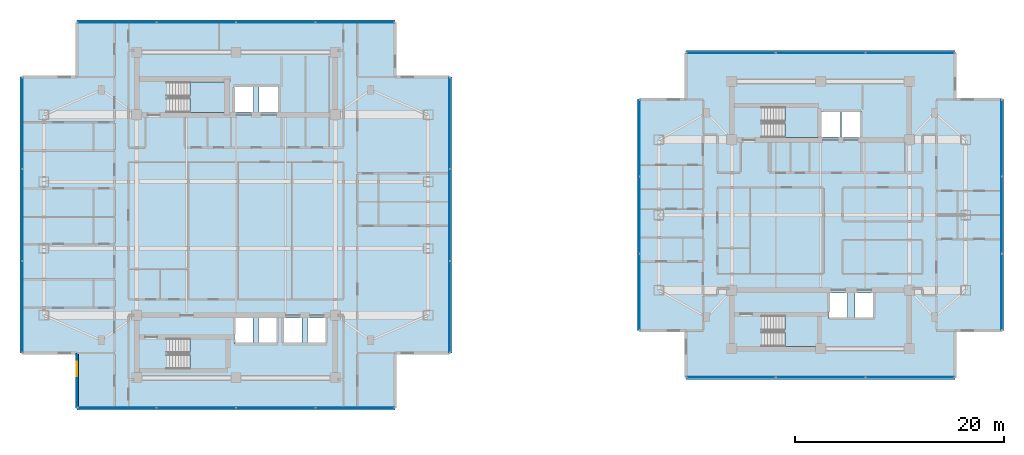
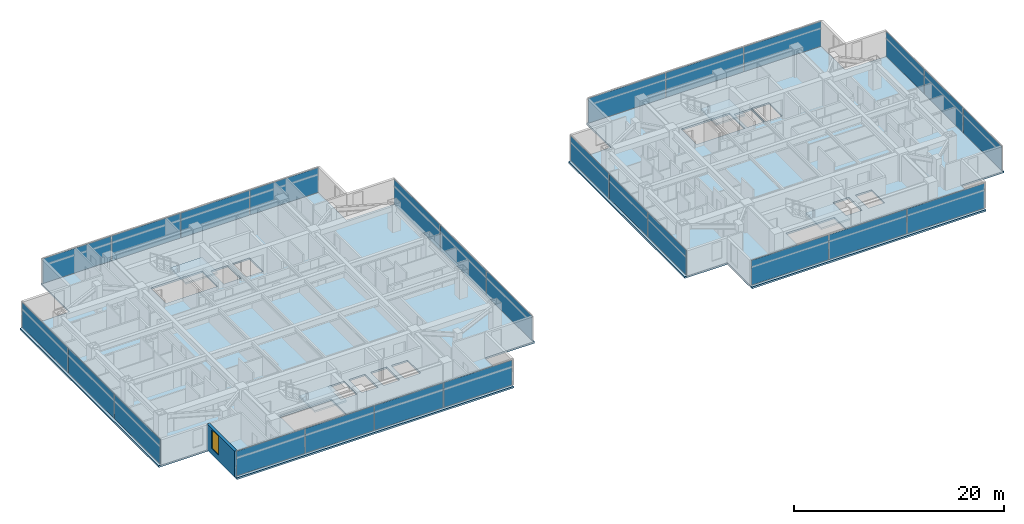
# One storey, part 11 of 24: 26 plates, 6 slabs, 1 wall, 1 window, 1 opening, 12 elements without a shape of their own.
"""IFC4 building model written with IfcOpenShell, lengths in metres."""

import ifcopenshell
import ifcopenshell.guid

model = None  # the IFC model being written
_history = None  # IfcOwnerHistory: only IFC2X3 demands one
_inside = {}  # id of a spatial element -> (the spatial element, [elements in it])
_under = {}  # id of a project, library or spatial element -> (it, [spatial elements below it])
_declared = {}  # id of a project -> (the project, [libraries it declares])
_typed = {}  # id of a type object -> (the type object, [elements of that type])
_made_of = {}  # id of a material, layer set ... -> (it, [elements and type objects made of it])


def new_model(schema):
    """Start an empty IFC model of exactly this schema.

    Asked for "IFC4X3", IfcOpenShell would pick the latest addendum, in which some entities
    have other attributes; the version numbers below select the first issue.
    IFC2X3 requires an IfcOwnerHistory on every rooted entity: one is made here for all.
    """
    global model, _history
    if schema == "IFC4X3":
        model = ifcopenshell.file(schema_version=(4, 3, 0, 0))
    else:
        model = ifcopenshell.file(schema=schema)
    _inside.clear()
    _under.clear()
    _declared.clear()
    _typed.clear()
    _made_of.clear()
    _history = None
    if model.schema == "IFC2X3":
        org = make("IfcOrganization", Name="unknown")
        user = make(
            "IfcPersonAndOrganization",
            ThePerson=make("IfcPerson", FamilyName="unknown"),
            TheOrganization=org,
        )
        app = make(
            "IfcApplication",
            ApplicationDeveloper=org,
            Version="unknown",
            ApplicationFullName="unknown",
            ApplicationIdentifier="unknown",
        )
        _history = make(
            "IfcOwnerHistory",
            OwningUser=user,
            OwningApplication=app,
            ChangeAction="ADDED",
            CreationDate=0,
        )
    return model


def make(cls, **values):
    """One entity of the class cls with the attributes given. An attribute that is None is left unset."""
    return model.create_entity(
        cls, **{name: value for name, value in values.items() if value is not None}
    )


def rooted(cls, **values):
    """An entity with a GlobalId (a new one), such as an element, a storey or a relation."""
    return make(cls, GlobalId=ifcopenshell.guid.new(), OwnerHistory=_history, **values)


def si_unit(unit_type, name, prefix=None):
    """IfcSIUnit, for example si_unit("LENGTHUNIT", "METRE", prefix="MILLI")."""
    return make("IfcSIUnit", UnitType=unit_type, Prefix=prefix, Name=name)


def assignment(units):
    """IfcUnitAssignment: the units of a project."""
    return None if units is None else make("IfcUnitAssignment", Units=units)


def point(xyz):
    """IfcCartesianPoint."""
    return None if xyz is None else make("IfcCartesianPoint", Coordinates=xyz)


def direction(xyz):
    """IfcDirection."""
    return None if xyz is None else make("IfcDirection", DirectionRatios=xyz)


def frame(location, z_axis=None, x_axis=None):
    """IfcAxis2Placement3D, a coordinate frame: its origin and axes. An axis left out is left unset."""
    return make(
        "IfcAxis2Placement3D",
        Location=point(location),
        Axis=direction(z_axis),
        RefDirection=direction(x_axis),
    )


def frame_2d(location, x_axis=None):
    """IfcAxis2Placement2D, a coordinate frame in the plane: its origin and x axis."""
    return make(
        "IfcAxis2Placement2D", Location=point(location), RefDirection=direction(x_axis)
    )


def origin():
    """The frame at (0, 0, 0) with its axes left unset."""
    return frame((0.0, 0.0, 0.0))


def origin_2d():
    """The frame at (0, 0) in the plane with its x axis left unset."""
    return frame_2d((0.0, 0.0))


def place(relative_to, where):
    """IfcLocalPlacement: puts the frame where relative to a parent placement (None: the world)."""
    return make(
        "IfcLocalPlacement", PlacementRelTo=relative_to, RelativePlacement=where
    )


def context(
    kind, dimensions, precision=None, world=None, true_north=None, identifier=None
):
    """IfcGeometricRepresentationContext, for example the 3D "Model" context."""
    return make(
        "IfcGeometricRepresentationContext",
        ContextIdentifier=identifier,
        ContextType=kind,
        CoordinateSpaceDimension=dimensions,
        Precision=precision,
        WorldCoordinateSystem=world,
        TrueNorth=true_north,
    )


def subcontext(parent, identifier, kind, view, scale=None):
    """IfcGeometricRepresentationSubContext, for example "Body" below "Model"."""
    return make(
        "IfcGeometricRepresentationSubContext",
        ContextIdentifier=identifier,
        ContextType=kind,
        ParentContext=parent,
        TargetScale=scale,
        TargetView=view,
    )


def project(units=None, contexts=None):
    """IfcProject with its units and contexts."""
    return rooted(
        "IfcProject",
        Name="project",
        RepresentationContexts=contexts,
        UnitsInContext=assignment(units),
    )


def spatial(cls, under=None, at=None, **own):
    """A site, building, storey or space (cls), placed at a placement, below another one or the project."""
    s = rooted(cls, ObjectPlacement=at, **own)
    if under is not None:
        _under.setdefault(under.id(), (under, []))[1].append(s)
    return s


def polyline(points):
    """IfcPolyline through the points."""
    return make("IfcPolyline", Points=[point(p) for p in points])


def profile(cls, at=None, kind="AREA", **sizes):
    """A parametric profile (cls). Its sizes go by their IFC names, for example OverallWidth=200.0."""
    return make(cls, ProfileType=kind, Position=at, **sizes)


def rectangle(**sizes):
    """IfcRectangleProfileDef."""
    return profile("IfcRectangleProfileDef", **sizes)


def outline(outer, holes=None, kind="AREA"):
    """IfcArbitraryClosedProfileDef: a profile drawn as a closed curve; with holes, ...WithVoids."""
    if holes is None:
        return make("IfcArbitraryClosedProfileDef", ProfileType=kind, OuterCurve=outer)
    return make(
        "IfcArbitraryProfileDefWithVoids",
        ProfileType=kind,
        OuterCurve=outer,
        InnerCurves=holes,
    )


def extrude(swept, where, along, depth):
    """IfcExtrudedAreaSolid: the profile swept, set in the frame where, extruded along a direction by depth."""
    return make(
        "IfcExtrudedAreaSolid",
        SweptArea=swept,
        Position=where,
        ExtrudedDirection=direction(along),
        Depth=depth,
    )


def shape(context_of_items, identifier, shape_type, items):
    """IfcShapeRepresentation: the items that make up one representation, for example the "Body"."""
    return make(
        "IfcShapeRepresentation",
        ContextOfItems=context_of_items,
        RepresentationIdentifier=identifier,
        RepresentationType=shape_type,
        Items=items,
    )


def material(Name=None, Category=None):
    """IfcMaterial."""
    return make("IfcMaterial", Name=Name, Category=Category)


def layer(
    of_material, thickness, ventilated=None, Name=None, Category=None, Priority=None
):
    """IfcMaterialLayer: one layer of a wall or slab, of a material (None: an air gap)."""
    return make(
        "IfcMaterialLayer",
        Material=of_material,
        LayerThickness=thickness,
        IsVentilated=ventilated,
        Name=Name,
        Category=Category,
        Priority=Priority,
    )


def layer_set(layers, Name=None):
    """IfcMaterialLayerSet."""
    return make("IfcMaterialLayerSet", MaterialLayers=layers, LayerSetName=Name)


def made_of(thing, what):
    """Note that an element or type object is made of a material, layer set ...; save() writes the relation."""
    if what is not None:
        _made_of.setdefault(what.id(), (what, []))[1].append(thing)
    return thing


def type_object(cls, material=None, **own):
    """A type object (cls), such as IfcWallType, which elements share."""
    return made_of(rooted(cls, **own), material)


def element(
    cls,
    number,
    at=None,
    inside=None,
    cuts=None,
    type_object=None,
    material=None,
    context=None,
    identifier="Body",
    shape_type=None,
    held_by="IfcProductDefinitionShape",
    body=None,
    shapes=None,
    **own,
):
    """One element of the class cls, such as IfcWall. Its Tag is "e" and its number.

    at: its placement. inside: the storey or other place that contains it. cuts: it is an
    opening in that element (IfcRelVoidsElement). A single representation is given by context,
    identifier, shape_type and body (its items); several are given by shapes. held_by: the class
    of the entity that holds the representations. save() writes the other relations.
    """
    e = rooted(cls, Tag="e%d" % number, ObjectPlacement=at, **own)
    if body is not None:
        shapes = [shape(context, identifier, shape_type, body)]
    if shapes is not None:
        e.Representation = make(held_by, Representations=shapes)
    if inside is not None:
        _inside.setdefault(inside.id(), (inside, []))[1].append(e)
    if cuts is not None:
        rooted(
            "IfcRelVoidsElement", RelatingBuildingElement=cuts, RelatedOpeningElement=e
        )
    if type_object is not None:
        _typed.setdefault(type_object.id(), (type_object, []))[1].append(e)
    return made_of(e, material)


def fill(opening, filler):
    """IfcRelFillsElement: the door or window that sits in an opening."""
    return rooted(
        "IfcRelFillsElement",
        RelatingOpeningElement=opening,
        RelatedBuildingElement=filler,
    )


def aggregate(whole, parts):
    """IfcRelAggregates: a whole, such as a stair, and the parts it consists of."""
    return rooted("IfcRelAggregates", RelatingObject=whole, RelatedObjects=parts)


def save(model, path):
    """Write the relations noted so far, then the file.

    IfcRelAggregates (storeys below a building ...), IfcRelContainedInSpatialStructure (elements
    in a storey), IfcRelDefinesByType, IfcRelAssociatesMaterial and IfcRelDeclares: one each for
    every whole, place, type object, material and project.
    """
    for whole, parts in _under.values():
        aggregate(whole, parts)
    for where, things in _inside.values():
        rooted(
            "IfcRelContainedInSpatialStructure",
            RelatedElements=things,
            RelatingStructure=where,
        )
    for kind, things in _typed.values():
        rooted("IfcRelDefinesByType", RelatedObjects=things, RelatingType=kind)
    for what, things in _made_of.values():
        rooted("IfcRelAssociatesMaterial", RelatedObjects=things, RelatingMaterial=what)
    for by, libraries in _declared.values():
        rooted("IfcRelDeclares", RelatingContext=by, RelatedDefinitions=libraries)
    model.write(path)


model = new_model("IFC4")

# Units and contexts
model_context = context("Model", 3, precision=1e-05, world=origin(), true_north=direction((0.0, 1.0)))
body_context = subcontext(model_context, "Body", "Model", "MODEL_VIEW")
ifc_project = project(units=[si_unit("LENGTHUNIT", "METRE"), si_unit("AREAUNIT", "SQUARE_METRE"), si_unit("VOLUMEUNIT", "CUBIC_METRE"), si_unit("PLANEANGLEUNIT", "RADIAN"), si_unit("MASSUNIT", "GRAM", prefix="KILO")], contexts=[model_context])

# Site, building, storey
site_placement = place(None, origin())
site = spatial("IfcSite", under=ifc_project, at=site_placement, CompositionType="ELEMENT")
building_placement = place(site_placement, origin())
building = spatial("IfcBuilding", under=site, at=building_placement, Name="Mirazonda Arch Towers", CompositionType="ELEMENT")
storey_placement = place(building_placement, frame((0.0, 0.0, 164.14990234375)))
storey = spatial("IfcBuildingStorey", under=building, at=storey_placement, Name="L46", CompositionType="ELEMENT", Elevation=164.14990234375)

# Curtain wall, plates
ifc_material_1 = material(Name="Anodised Aluminium and Low-E Glass", Category="aluminium")
curtain_wall_type = type_object("IfcCurtainWallType", Name="CW-RES-UNIT", PredefinedType="NOTDEFINED", material=ifc_material_1)
curtain_wall_1_placement = place(storey_placement, origin())
curtain_wall_1 = element("IfcCurtainWall", 1, at=curtain_wall_1_placement, inside=storey, type_object=curtain_wall_type, Name="L46 T1 S Facade CW-L46-T1-S", PredefinedType="NOTDEFINED")
ifc_material_2 = material(Name="Insulated Low-E Solar Glass", Category="glass")
ifc_layer_1 = layer(ifc_material_2, 0.0400390625, Name="PAN-CW-RES-UNIT")
ifc_layer_set_1 = layer_set([ifc_layer_1], Name="Insulated Low-E Solar Glass")
plate_type = type_object("IfcPlateType", Name="PAN-CW-RES-UNIT", PredefinedType="CURTAIN_PANEL", material=ifc_layer_set_1)
plate_1_placement = place(storey_placement, frame((31.89990234375, 9.535888671875, 0.0751953125), z_axis=(0.0, 0.0, 1.0), x_axis=(-1.0, 0.0, 0.0)))
plate_1 = element("IfcPlate", 2, at=plate_1_placement, type_object=plate_type, Name="CW-104 panel 1.1", PredefinedType="CURTAIN_PANEL", context=body_context, shape_type="SweptSolid", body=[
    extrude(rectangle(XDim=7.5, YDim=0.0400390625, at=origin_2d()), origin(), (0.0, 0.0, 1.0), 2.8798828125),
])
plate_2_placement = place(storey_placement, frame((24.30615234375, 9.535888671875, 0.0751953125), z_axis=(0.0, 0.0, 1.0), x_axis=(-1.0, 0.0, 0.0)))
plate_2 = element("IfcPlate", 3, at=plate_2_placement, type_object=plate_type, Name="CW-104 panel 2.1", PredefinedType="CURTAIN_PANEL", context=body_context, shape_type="SweptSolid", body=[
    extrude(rectangle(XDim=7.53759765625, YDim=0.0400390625, at=origin_2d()), origin(), (0.0, 0.0, 1.0), 2.8798828125),
])
plate_3_placement = place(storey_placement, frame((16.69384765625, 9.535888671875, 0.0751953125), z_axis=(0.0, 0.0, 1.0), x_axis=(-1.0, 0.0, 0.0)))
plate_3 = element("IfcPlate", 4, at=plate_3_placement, type_object=plate_type, Name="CW-104 panel 3.1", PredefinedType="CURTAIN_PANEL", context=body_context, shape_type="SweptSolid", body=[
    extrude(rectangle(XDim=7.53759765625, YDim=0.0400390625, at=origin_2d()), origin(), (0.0, 0.0, 1.0), 2.8798828125),
])
plate_4_placement = place(storey_placement, frame((9.10009765625, 9.535888671875, 0.0751953125), z_axis=(0.0, 0.0, 1.0), x_axis=(-1.0, 0.0, 0.0)))
plate_4 = element("IfcPlate", 5, at=plate_4_placement, type_object=plate_type, Name="CW-104 panel 4.1", PredefinedType="CURTAIN_PANEL", context=body_context, shape_type="SweptSolid", body=[
    extrude(rectangle(XDim=7.5, YDim=0.0400390625, at=origin_2d()), origin(), (0.0, 0.0, 1.0), 2.8798828125),
])
aggregate(curtain_wall_1, [plate_1, plate_2, plate_3, plate_4])

curtain_wall_2_placement = place(storey_placement, origin())
curtain_wall_2 = element("IfcCurtainWall", 6, at=curtain_wall_2_placement, inside=storey, type_object=curtain_wall_type, Name="L46 T1 E Facade CW-L46-T1-E", PredefinedType="NOTDEFINED")
plate_5_placement = place(storey_placement, frame((40.969970703125, 19.2060546875, 0.0751953125), z_axis=(0.0, 0.0, 1.0), x_axis=(0.0, 1.0, 0.0)))
plate_5 = element("IfcPlate", 7, at=plate_5_placement, type_object=plate_type, Name="CW-104 panel 1.1", PredefinedType="CURTAIN_PANEL", context=body_context, shape_type="SweptSolid", body=[
    extrude(rectangle(XDim=8.7001953125, YDim=0.0400390625, at=origin_2d()), origin(), (0.0, 0.0, 1.0), 2.8798828125),
])
plate_6_placement = place(storey_placement, frame((40.969970703125, 28.0, 0.0751953125), z_axis=(0.0, 0.0, 1.0), x_axis=(0.0, 1.0, 0.0)))
plate_6 = element("IfcPlate", 8, at=plate_6_placement, type_object=plate_type, Name="CW-104 panel 2.1", PredefinedType="CURTAIN_PANEL", context=body_context, shape_type="SweptSolid", body=[
    extrude(rectangle(XDim=8.737548828125, YDim=0.0400390625, at=origin_2d()), origin(), (0.0, 0.0, 1.0), 2.8798828125),
])
plate_7_placement = place(storey_placement, frame((40.969970703125, 36.7939453125, 0.0751953125), z_axis=(0.0, 0.0, 1.0), x_axis=(0.0, 1.0, 0.0)))
plate_7 = element("IfcPlate", 9, at=plate_7_placement, type_object=plate_type, Name="CW-104 panel 3.1", PredefinedType="CURTAIN_PANEL", context=body_context, shape_type="SweptSolid", body=[
    extrude(rectangle(XDim=8.7001953125, YDim=0.0400390625, at=origin_2d()), origin(), (0.0, 0.0, 1.0), 2.8798828125),
])
aggregate(curtain_wall_2, [plate_5, plate_6, plate_7])

curtain_wall_3_placement = place(storey_placement, origin())
curtain_wall_3 = element("IfcCurtainWall", 10, at=curtain_wall_3_placement, inside=storey, type_object=curtain_wall_type, Name="L46 T1 N Facade CW-L46-T1-N", PredefinedType="NOTDEFINED")
plate_8_placement = place(storey_placement, frame((9.10009765625, 46.464111328125, 0.0751953125), z_axis=(0.0, 0.0, 1.0), x_axis=(1.0, 0.0, 0.0)))
plate_8 = element("IfcPlate", 11, at=plate_8_placement, type_object=plate_type, Name="CW-104 panel 1.1", PredefinedType="CURTAIN_PANEL", context=body_context, shape_type="SweptSolid", body=[
    extrude(rectangle(XDim=7.5, YDim=0.0400390625, at=origin_2d()), origin(), (0.0, 0.0, 1.0), 2.8798828125),
])
plate_9_placement = place(storey_placement, frame((16.69384765625, 46.464111328125, 0.0751953125), z_axis=(0.0, 0.0, 1.0), x_axis=(1.0, 0.0, 0.0)))
plate_9 = element("IfcPlate", 12, at=plate_9_placement, type_object=plate_type, Name="CW-104 panel 2.1", PredefinedType="CURTAIN_PANEL", context=body_context, shape_type="SweptSolid", body=[
    extrude(rectangle(XDim=7.53759765625, YDim=0.0400390625, at=origin_2d()), origin(), (0.0, 0.0, 1.0), 2.8798828125),
])
plate_10_placement = place(storey_placement, frame((24.30615234375, 46.464111328125, 0.0751953125), z_axis=(0.0, 0.0, 1.0), x_axis=(1.0, 0.0, 0.0)))
plate_10 = element("IfcPlate", 13, at=plate_10_placement, type_object=plate_type, Name="CW-104 panel 3.1", PredefinedType="CURTAIN_PANEL", context=body_context, shape_type="SweptSolid", body=[
    extrude(rectangle(XDim=7.53759765625, YDim=0.0400390625, at=origin_2d()), origin(), (0.0, 0.0, 1.0), 2.8798828125),
])
plate_11_placement = place(storey_placement, frame((31.89990234375, 46.464111328125, 0.0751953125), z_axis=(0.0, 0.0, 1.0), x_axis=(1.0, 0.0, 0.0)))
plate_11 = element("IfcPlate", 14, at=plate_11_placement, type_object=plate_type, Name="CW-104 panel 4.1", PredefinedType="CURTAIN_PANEL", context=body_context, shape_type="SweptSolid", body=[
    extrude(rectangle(XDim=7.5, YDim=0.0400390625, at=origin_2d()), origin(), (0.0, 0.0, 1.0), 2.8798828125),
])
aggregate(curtain_wall_3, [plate_8, plate_9, plate_10, plate_11])

curtain_wall_4_placement = place(storey_placement, origin())
curtain_wall_4 = element("IfcCurtainWall", 15, at=curtain_wall_4_placement, inside=storey, type_object=curtain_wall_type, Name="L46 T1 W Facade CW-L46-T1-W", PredefinedType="NOTDEFINED")
plate_12_placement = place(storey_placement, frame((0.030029296875, 36.7939453125, 0.0751953125), z_axis=(0.0, 0.0, 1.0), x_axis=(0.0, -1.0, 0.0)))
plate_12 = element("IfcPlate", 16, at=plate_12_placement, type_object=plate_type, Name="CW-104 panel 1.1", PredefinedType="CURTAIN_PANEL", context=body_context, shape_type="SweptSolid", body=[
    extrude(rectangle(XDim=8.7001953125, YDim=0.0400390625, at=origin_2d()), origin(), (0.0, 0.0, 1.0), 2.8798828125),
])
plate_13_placement = place(storey_placement, frame((0.030029296875, 28.0, 0.0751953125), z_axis=(0.0, 0.0, 1.0), x_axis=(0.0, -1.0, 0.0)))
plate_13 = element("IfcPlate", 17, at=plate_13_placement, type_object=plate_type, Name="CW-104 panel 2.1", PredefinedType="CURTAIN_PANEL", context=body_context, shape_type="SweptSolid", body=[
    extrude(rectangle(XDim=8.737548828125, YDim=0.0400390625, at=origin_2d()), origin(), (0.0, 0.0, 1.0), 2.8798828125),
])
plate_14_placement = place(storey_placement, frame((0.030029296875, 19.2060546875, 0.0751953125), z_axis=(0.0, 0.0, 1.0), x_axis=(0.0, -1.0, 0.0)))
plate_14 = element("IfcPlate", 18, at=plate_14_placement, type_object=plate_type, Name="CW-104 panel 3.1", PredefinedType="CURTAIN_PANEL", context=body_context, shape_type="SweptSolid", body=[
    extrude(rectangle(XDim=8.7001953125, YDim=0.0400390625, at=origin_2d()), origin(), (0.0, 0.0, 1.0), 2.8798828125),
])
aggregate(curtain_wall_4, [plate_12, plate_13, plate_14])

curtain_wall_5_placement = place(storey_placement, origin())
curtain_wall_5 = element("IfcCurtainWall", 19, at=curtain_wall_5_placement, inside=storey, type_object=curtain_wall_type, Name="L46 T2 S Facade CW-L46-T2-S", PredefinedType="NOTDEFINED")
plate_15_placement = place(storey_placement, frame((85.06884765625, 12.45849609375, 0.0751953125), z_axis=(0.0, 0.0, 1.0), x_axis=(-1.0, 0.0, 0.0)))
plate_15 = element("IfcPlate", 20, at=plate_15_placement, type_object=plate_type, Name="CW-104 panel 1.1", PredefinedType="CURTAIN_PANEL", context=body_context, shape_type="SweptSolid", body=[
    extrude(rectangle(XDim=8.47509765625, YDim=0.0400390625, at=origin_2d()), origin(), (0.0, 0.0, 1.0), 2.8798828125),
])
plate_16_placement = place(storey_placement, frame((76.5, 12.45849609375, 0.0751953125), z_axis=(0.0, 0.0, 1.0), x_axis=(-1.0, 0.0, 0.0)))
plate_16 = element("IfcPlate", 21, at=plate_16_placement, type_object=plate_type, Name="CW-104 panel 2.1", PredefinedType="CURTAIN_PANEL", context=body_context, shape_type="SweptSolid", body=[
    extrude(rectangle(XDim=8.512451171875, YDim=0.0400390625, at=origin_2d()), origin(), (0.0, 0.0, 1.0), 2.8798828125),
])
plate_17_placement = place(storey_placement, frame((67.93115234375, 12.45849609375, 0.0751953125), z_axis=(0.0, 0.0, 1.0), x_axis=(-1.0, 0.0, 0.0)))
plate_17 = element("IfcPlate", 22, at=plate_17_placement, type_object=plate_type, Name="CW-104 panel 3.1", PredefinedType="CURTAIN_PANEL", context=body_context, shape_type="SweptSolid", body=[
    extrude(rectangle(XDim=8.47509765625, YDim=0.0400390625, at=origin_2d()), origin(), (0.0, 0.0, 1.0), 2.8798828125),
])
aggregate(curtain_wall_5, [plate_15, plate_16, plate_17])

curtain_wall_6_placement = place(storey_placement, origin())
curtain_wall_6 = element("IfcCurtainWall", 23, at=curtain_wall_6_placement, inside=storey, type_object=curtain_wall_type, Name="L46 T2 E Facade CW-L46-T2-E", PredefinedType="NOTDEFINED")
plate_18_placement = place(storey_placement, frame((93.846435546875, 20.634521484375, 0.0751953125), z_axis=(0.0, 0.0, 1.0), x_axis=(0.0, 1.0, 0.0)))
plate_18 = element("IfcPlate", 24, at=plate_18_placement, type_object=plate_type, Name="CW-104 panel 1.1", PredefinedType="CURTAIN_PANEL", context=body_context, shape_type="SweptSolid", body=[
    extrude(rectangle(XDim=7.271728515625, YDim=0.0400390625, at=origin_2d()), origin(), (0.0, 0.0, 1.0), 2.8798828125),
])
plate_19_placement = place(storey_placement, frame((93.846435546875, 28.0, 0.0751953125), z_axis=(0.0, 0.0, 1.0), x_axis=(0.0, 1.0, 0.0)))
plate_19 = element("IfcPlate", 25, at=plate_19_placement, type_object=plate_type, Name="CW-104 panel 2.1", PredefinedType="CURTAIN_PANEL", context=body_context, shape_type="SweptSolid", body=[
    extrude(rectangle(XDim=7.30908203125, YDim=0.0400390625, at=origin_2d()), origin(), (0.0, 0.0, 1.0), 2.8798828125),
])
plate_20_placement = place(storey_placement, frame((93.846435546875, 35.365478515625, 0.0751953125), z_axis=(0.0, 0.0, 1.0), x_axis=(0.0, 1.0, 0.0)))
plate_20 = element("IfcPlate", 26, at=plate_20_placement, type_object=plate_type, Name="CW-104 panel 3.1", PredefinedType="CURTAIN_PANEL", context=body_context, shape_type="SweptSolid", body=[
    extrude(rectangle(XDim=7.271728515625, YDim=0.0400390625, at=origin_2d()), origin(), (0.0, 0.0, 1.0), 2.8798828125),
])
aggregate(curtain_wall_6, [plate_18, plate_19, plate_20])

curtain_wall_7_placement = place(storey_placement, origin())
curtain_wall_7 = element("IfcCurtainWall", 27, at=curtain_wall_7_placement, inside=storey, type_object=curtain_wall_type, Name="L46 T2 N Facade CW-L46-T2-N", PredefinedType="NOTDEFINED")
plate_21_placement = place(storey_placement, frame((67.93115234375, 43.54150390625, 0.0751953125), z_axis=(0.0, 0.0, 1.0), x_axis=(1.0, 0.0, 0.0)))
plate_21 = element("IfcPlate", 28, at=plate_21_placement, type_object=plate_type, Name="CW-104 panel 1.1", PredefinedType="CURTAIN_PANEL", context=body_context, shape_type="SweptSolid", body=[
    extrude(rectangle(XDim=8.47509765625, YDim=0.0400390625, at=origin_2d()), origin(), (0.0, 0.0, 1.0), 2.8798828125),
])
plate_22_placement = place(storey_placement, frame((76.5, 43.54150390625, 0.0751953125), z_axis=(0.0, 0.0, 1.0), x_axis=(1.0, 0.0, 0.0)))
plate_22 = element("IfcPlate", 29, at=plate_22_placement, type_object=plate_type, Name="CW-104 panel 2.1", PredefinedType="CURTAIN_PANEL", context=body_context, shape_type="SweptSolid", body=[
    extrude(rectangle(XDim=8.512451171875, YDim=0.0400390625, at=origin_2d()), origin(), (0.0, 0.0, 1.0), 2.8798828125),
])
plate_23_placement = place(storey_placement, frame((85.06884765625, 43.54150390625, 0.0751953125), z_axis=(0.0, 0.0, 1.0), x_axis=(1.0, 0.0, 0.0)))
plate_23 = element("IfcPlate", 30, at=plate_23_placement, type_object=plate_type, Name="CW-104 panel 3.1", PredefinedType="CURTAIN_PANEL", context=body_context, shape_type="SweptSolid", body=[
    extrude(rectangle(XDim=8.47509765625, YDim=0.0400390625, at=origin_2d()), origin(), (0.0, 0.0, 1.0), 2.8798828125),
])
aggregate(curtain_wall_7, [plate_21, plate_22, plate_23])

curtain_wall_8_placement = place(storey_placement, origin())
curtain_wall_8 = element("IfcCurtainWall", 31, at=curtain_wall_8_placement, inside=storey, type_object=curtain_wall_type, Name="L46 T2 W Facade CW-L46-T2-W", PredefinedType="NOTDEFINED")
plate_24_placement = place(storey_placement, frame((59.153564453125, 35.365478515625, 0.0751953125), z_axis=(0.0, 0.0, 1.0), x_axis=(0.0, -1.0, 0.0)))
plate_24 = element("IfcPlate", 32, at=plate_24_placement, type_object=plate_type, Name="CW-104 panel 1.1", PredefinedType="CURTAIN_PANEL", context=body_context, shape_type="SweptSolid", body=[
    extrude(rectangle(XDim=7.271728515625, YDim=0.0400390625, at=origin_2d()), origin(), (0.0, 0.0, 1.0), 2.8798828125),
])
plate_25_placement = place(storey_placement, frame((59.153564453125, 28.0, 0.0751953125), z_axis=(0.0, 0.0, 1.0), x_axis=(0.0, -1.0, 0.0)))
plate_25 = element("IfcPlate", 33, at=plate_25_placement, type_object=plate_type, Name="CW-104 panel 2.1", PredefinedType="CURTAIN_PANEL", context=body_context, shape_type="SweptSolid", body=[
    extrude(rectangle(XDim=7.30908203125, YDim=0.0400390625, at=origin_2d()), origin(), (0.0, 0.0, 1.0), 2.8798828125),
])
plate_26_placement = place(storey_placement, frame((59.153564453125, 20.634521484375, 0.0751953125), z_axis=(0.0, 0.0, 1.0), x_axis=(0.0, -1.0, 0.0)))
plate_26 = element("IfcPlate", 34, at=plate_26_placement, type_object=plate_type, Name="CW-104 panel 3.1", PredefinedType="CURTAIN_PANEL", context=body_context, shape_type="SweptSolid", body=[
    extrude(rectangle(XDim=7.271728515625, YDim=0.0400390625, at=origin_2d()), origin(), (0.0, 0.0, 1.0), 2.8798828125),
])
aggregate(curtain_wall_8, [plate_24, plate_25, plate_26])

# Stair, slab
ifc_material_3 = material(Name="Concrete C40/50", Category="concrete")
stair_type = type_object("IfcStairType", Name="STAIR-CORE-1400", PredefinedType="HALF_TURN_STAIR", material=ifc_material_3)
stair_1_placement = place(storey_placement, origin())
stair_1 = element("IfcStair", 35, at=stair_1_placement, inside=storey, type_object=stair_type, Name="L46 Protected Exit Stair ST-T1N", PredefinedType="HALF_TURN_STAIR")
ifc_layer_2 = layer(ifc_material_3, 0.18994140625, Name="SLAB-LANDING-190")
ifc_layer_set_2 = layer_set([ifc_layer_2], Name="Concrete C40/50")
slab_type_1 = type_object("IfcSlabType", Name="SLAB-LANDING-190", PredefinedType="LANDING", material=ifc_layer_set_2)
slab_1_placement = place(storey_placement, frame((0.0, 0.0, 1.425048828125)))
slab_1 = element("IfcSlab", 36, at=slab_1_placement, type_object=slab_type_1, Name="ST-T1N landing 1", PredefinedType="LANDING", context=body_context, shape_type="SweptSolid", body=[
    extrude(outline(polyline([(16.090087890625, 37.820068359375), (19.60009765625, 37.820068359375), (19.60009765625, 40.760009765625), (16.090087890625, 40.760009765625), (16.090087890625, 37.820068359375)])), origin(), (0.0, 0.0, 1.0), 0.199951171875),
])
aggregate(stair_1, [slab_1])

stair_2_placement = place(storey_placement, origin())
stair_2 = element("IfcStair", 37, at=stair_2_placement, inside=storey, type_object=stair_type, Name="L46 Protected Exit Stair ST-T1S", PredefinedType="HALF_TURN_STAIR")
slab_2_placement = place(storey_placement, frame((0.0, 0.0, 1.425048828125)))
slab_2 = element("IfcSlab", 38, at=slab_2_placement, type_object=slab_type_1, Name="ST-T1S landing 1", PredefinedType="LANDING", context=body_context, shape_type="SweptSolid", body=[
    extrude(outline(polyline([(16.090087890625, 13.25), (19.60009765625, 13.25), (19.60009765625, 16.18994140625), (16.090087890625, 16.18994140625), (16.090087890625, 13.25)])), origin(), (0.0, 0.0, 1.0), 0.199951171875),
])
aggregate(stair_2, [slab_2])

stair_3_placement = place(storey_placement, origin())
stair_3 = element("IfcStair", 39, at=stair_3_placement, inside=storey, type_object=stair_type, Name="L46 Protected Exit Stair ST-T2N", PredefinedType="HALF_TURN_STAIR")
slab_3_placement = place(storey_placement, frame((0.0, 0.0, 1.425048828125)))
slab_3 = element("IfcSlab", 40, at=slab_3_placement, type_object=slab_type_1, Name="ST-T2N landing 1", PredefinedType="LANDING", context=body_context, shape_type="SweptSolid", body=[
    extrude(outline(polyline([(73.090087890625, 35.419921875), (76.22998046875, 35.419921875), (76.22998046875, 38.360107421875), (73.090087890625, 38.360107421875), (73.090087890625, 35.419921875)])), origin(), (0.0, 0.0, 1.0), 0.199951171875),
])
aggregate(stair_3, [slab_3])

stair_4_placement = place(storey_placement, origin())
stair_4 = element("IfcStair", 41, at=stair_4_placement, inside=storey, type_object=stair_type, Name="L46 Protected Exit Stair ST-T2S", PredefinedType="HALF_TURN_STAIR")
slab_4_placement = place(storey_placement, frame((0.0, 0.0, 1.425048828125)))
slab_4 = element("IfcSlab", 42, at=slab_4_placement, type_object=slab_type_1, Name="ST-T2S landing 1", PredefinedType="LANDING", context=body_context, shape_type="SweptSolid", body=[
    extrude(outline(polyline([(73.090087890625, 15.419921875), (76.22998046875, 15.419921875), (76.22998046875, 18.360107421875), (73.090087890625, 18.360107421875), (73.090087890625, 15.419921875)])), origin(), (0.0, 0.0, 1.0), 0.199951171875),
])
aggregate(stair_4, [slab_4])

# Slabs
ifc_layer_3 = layer(ifc_material_3, 0.199951171875, Name="SLAB-TWR-200")
ifc_layer_set_3 = layer_set([ifc_layer_3], Name="Concrete C40/50")
slab_type_2 = type_object("IfcSlabType", Name="SLAB-TWR-200", PredefinedType="FLOOR", material=ifc_layer_set_3)
slab_5_placement = place(storey_placement, frame((0.0, 0.0, -0.199951171875)))
element("IfcSlab", 43, at=slab_5_placement, inside=storey, type_object=slab_type_2, Name="L46 Tower 1 Floor Slab", PredefinedType="FLOOR", context=body_context, shape_type="SweptSolid", body=[
    extrude(outline(polyline([(5.27490234375, 9.31591796875), (35.72509765625, 9.31591796875), (35.72509765625, 14.781005859375), (41.18994140625, 14.781005859375), (41.18994140625, 41.218994140625), (35.72509765625, 41.218994140625), (35.72509765625, 46.68408203125), (5.27490234375, 46.68408203125), (5.27490234375, 41.218994140625), (-0.18994140625, 41.218994140625), (-0.18994140625, 14.781005859375), (5.27490234375, 14.781005859375), (5.27490234375, 9.31591796875)]), holes=[polyline([(27.360107421875, 18.139892578125), (29.139892578125, 18.139892578125), (29.139892578125, 15.659912109375), (27.360107421875, 15.659912109375), (27.360107421875, 18.139892578125)]), polyline([(25.06005859375, 18.139892578125), (26.840087890625, 18.139892578125), (26.840087890625, 15.659912109375), (25.06005859375, 15.659912109375), (25.06005859375, 18.139892578125)]), polyline([(22.7099609375, 40.389892578125), (24.590087890625, 40.389892578125), (24.590087890625, 37.81005859375), (22.7099609375, 37.81005859375), (22.7099609375, 40.389892578125)]), polyline([(22.659912109375, 18.139892578125), (24.43994140625, 18.139892578125), (24.43994140625, 15.659912109375), (22.659912109375, 15.659912109375), (22.659912109375, 18.139892578125)]), polyline([(20.31005859375, 40.340087890625), (22.18994140625, 40.340087890625), (22.18994140625, 37.860107421875), (20.31005859375, 37.860107421875), (20.31005859375, 40.340087890625)]), polyline([(20.360107421875, 18.139892578125), (22.139892578125, 18.139892578125), (22.139892578125, 15.659912109375), (20.360107421875, 15.659912109375), (20.360107421875, 18.139892578125)]), polyline([(13.925048828125, 13.25), (13.925048828125, 16.18994140625), (19.60009765625, 16.18994140625), (19.60009765625, 13.25), (13.925048828125, 13.25)]), polyline([(13.925048828125, 37.820068359375), (13.925048828125, 40.760009765625), (19.60009765625, 40.760009765625), (19.60009765625, 37.820068359375), (13.925048828125, 37.820068359375)])]), origin(), (0.0, 0.0, 1.0), 0.199951171875),
])
slab_6_placement = place(storey_placement, frame((0.0, 0.0, -0.199951171875)))
element("IfcSlab", 44, at=slab_6_placement, inside=storey, type_object=slab_type_2, Name="L46 Tower 2 Floor Slab", PredefinedType="FLOOR", context=body_context, shape_type="SweptSolid", body=[
    extrude(outline(polyline([(63.61865234375, 12.238525390625), (89.38134765625, 12.238525390625), (89.38134765625, 16.923828125), (94.06640625, 16.923828125), (94.06640625, 39.076171875), (89.38134765625, 39.076171875), (89.38134765625, 43.761474609375), (63.61865234375, 43.761474609375), (63.61865234375, 39.076171875), (58.93359375, 39.076171875), (58.93359375, 16.923828125), (63.61865234375, 16.923828125), (63.61865234375, 12.238525390625)]), holes=[polyline([(79.81005859375, 20.5400390625), (81.590087890625, 20.5400390625), (81.590087890625, 18.06005859375), (79.81005859375, 18.06005859375), (79.81005859375, 20.5400390625)]), polyline([(78.47998046875, 37.989990234375), (80.360107421875, 37.989990234375), (80.360107421875, 35.409912109375), (78.47998046875, 35.409912109375), (78.47998046875, 37.989990234375)]), polyline([(77.31005859375, 20.5400390625), (79.090087890625, 20.5400390625), (79.090087890625, 18.06005859375), (77.31005859375, 18.06005859375), (77.31005859375, 20.5400390625)]), polyline([(76.510009765625, 35.4599609375), (76.510009765625, 37.93994140625), (78.389892578125, 37.93994140625), (78.389892578125, 35.4599609375), (76.510009765625, 35.4599609375)]), polyline([(76.22998046875, 15.419921875), (70.925048828125, 15.419921875), (70.925048828125, 18.360107421875), (76.22998046875, 18.360107421875), (76.22998046875, 15.419921875)]), polyline([(70.925048828125, 35.419921875), (70.925048828125, 38.360107421875), (76.22998046875, 38.360107421875), (76.22998046875, 35.419921875), (70.925048828125, 35.419921875)])]), origin(), (0.0, 0.0, 1.0), 0.199951171875),
])

# Wall, opening, window
ifc_material_4 = material(Name="Precast Concrete C40/50", Category="concrete")
ifc_layer_4 = layer(ifc_material_4, 0.280029296875, Name="WALL-EXT-WALL-280")
ifc_layer_set_4 = layer_set([ifc_layer_4], Name="Precast Concrete C40/50")
wall_type = type_object("IfcWallType", Name="WALL-EXT-WALL-280", PredefinedType="SOLIDWALL", material=ifc_layer_set_4)
wall_placement = place(storey_placement, frame((5.27490234375, 14.781005859375, 0.0), z_axis=(0.0, 0.0, 1.0), x_axis=(0.0, -1.0, 0.0)))
wall = element("IfcWall", 45, at=wall_placement, inside=storey, type_object=wall_type, Name="L46 T1 Notched SW Corner Wall WL-L46-T1-CSW", PredefinedType="SOLIDWALL", context=body_context, shape_type="SweptSolid", body=[
    extrude(rectangle(XDim=5.2451171875, YDim=0.280029296875, at=frame_2d((2.62255859375, 0.0))), origin(), (0.0, 0.0, 1.0), 3.030029296875),
])
opening_placement = place(wall_placement, frame((0.85009765625, 0.0, 0.679931640625)))
opening = element("IfcOpeningElement", 46, at=opening_placement, cuts=wall, Name="Opening WN-104", PredefinedType="OPENING", context=body_context, shape_type="SweptSolid", body=[
    extrude(rectangle(XDim=1.35009765625, YDim=2.199951171875, at=frame_2d((0.675048828125, 1.10009765625))), frame((0.0, 0.14990234375, 0.0), z_axis=(0.0, -1.0, 0.0), x_axis=(1.0, 0.0, 0.0)), (0.0, 0.0, 1.0), 0.300048828125),
])
window_type = type_object("IfcWindowType", Name="WIN-RES-1350x2200", PartitioningType="SINGLE_PANEL", PredefinedType="WINDOW", material=ifc_material_2)
window_placement = place(opening_placement, origin())
window = element("IfcWindow", 47, at=window_placement, inside=storey, type_object=window_type, Name="L46 Punched Facade Window WN-L46-T1-CSW", OverallHeight=2.199951171875, OverallWidth=1.35009765625, PartitioningType="SINGLE_PANEL", PredefinedType="WINDOW", context=body_context, shape_type="SweptSolid", body=[
    extrude(rectangle(XDim=1.35009765625, YDim=2.199951171875, at=frame_2d((0.675048828125, 1.10009765625))), frame((0.0, 0.030029296875, 0.0), z_axis=(0.0, -1.0, 0.0), x_axis=(1.0, 0.0, 0.0)), (0.0, 0.0, 1.0), 0.06005859375),
])
fill(opening, window)

save(model, "model.ifc")
